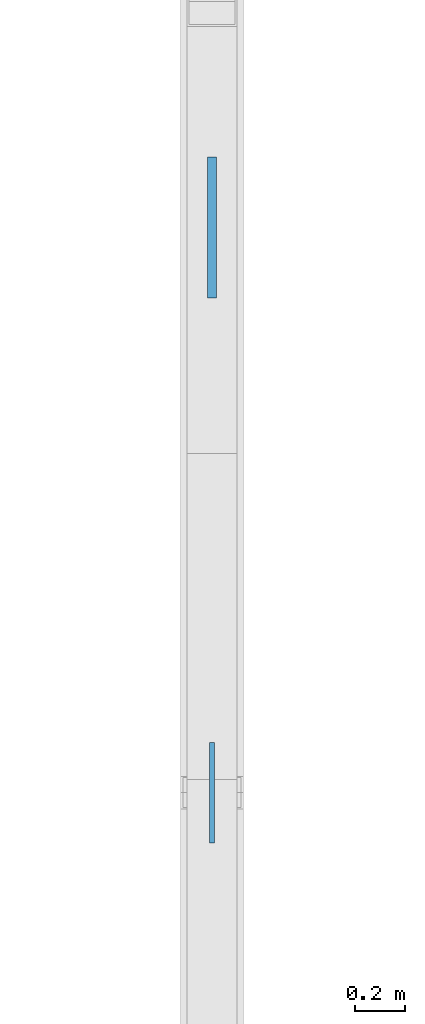
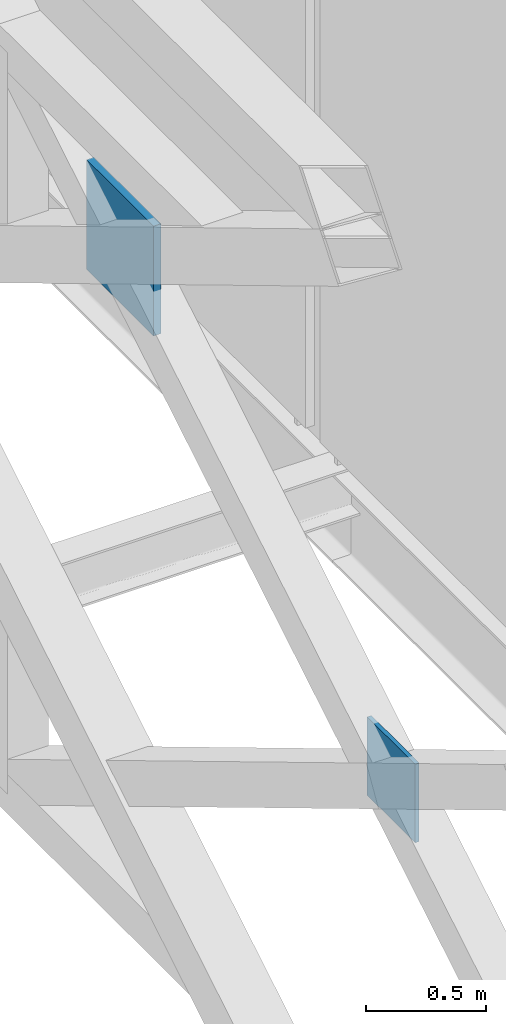
# One storey, part 41 of 89: 2 plates.
"""IFC4 building model written with IfcOpenShell, lengths in metres."""

from ifc_helpers import new_model, si_unit, direction, frame, origin, origin_2d, place, context, subcontext, project, spatial, rectangle, extrude, material, layer, layer_set, type_object, element, save


model = new_model("IFC4")

# Units and contexts
model_context = context("Model", 3, precision=1e-05, world=origin(), true_north=direction((0.0, 1.0)))
body_context = subcontext(model_context, "Body", "Model", "MODEL_VIEW")
ifc_project = project(units=[si_unit("LENGTHUNIT", "METRE"), si_unit("AREAUNIT", "SQUARE_METRE"), si_unit("VOLUMEUNIT", "CUBIC_METRE"), si_unit("PLANEANGLEUNIT", "RADIAN"), si_unit("MASSUNIT", "GRAM", prefix="KILO"), si_unit("THERMODYNAMICTEMPERATUREUNIT", "KELVIN"), si_unit("POWERUNIT", "WATT")], contexts=[model_context])

# Site, building, storey
site_placement = place(None, origin())
site = spatial("IfcSite", under=ifc_project, at=site_placement, CompositionType="ELEMENT")
building_placement = place(site_placement, origin())
building = spatial("IfcBuilding", under=site, at=building_placement, Name="Tallowbark Science Centre", CompositionType="ELEMENT")
storey_placement = place(building_placement, frame((0.0, 0.0, 14.39990234375)))
storey = spatial("IfcBuildingStorey", under=building, at=storey_placement, Name="L03", CompositionType="ELEMENT", Elevation=14.39990234375)

# Plates
ifc_material = material(Name="Structural Steel Grade 300PLUS (300 MPa)", Category="steel")
ifc_layer_1 = layer(ifc_material, 0.02001953125)
ifc_layer_set_1 = layer_set([ifc_layer_1], Name="Structural Steel Grade 300PLUS (300 MPa)")
plate_type_1 = type_object("IfcPlateType", Name="PLT-GUS-20", PredefinedType="SHEET", material=ifc_layer_set_1)
plate_1_placement = place(storey_placement, frame((56.10009765625, 18.0, 1.60009765625), z_axis=(0.0, 0.0, 1.0), x_axis=(0.0, 1.0, 0.0)))
element("IfcPlate", 1, at=plate_1_placement, inside=storey, type_object=plate_type_1, Name="Star X-Brace Crossing Gusset Plate W-30", PredefinedType="SHEET", context=body_context, shape_type="SweptSolid", body=[
    extrude(rectangle(XDim=0.39990234375, YDim=0.02001953125, at=origin_2d()), origin(), (0.0, 0.0, 1.0), 0.39990234375),
])
ifc_layer_2 = layer(ifc_material, 0.035888671875)
ifc_layer_set_2 = layer_set([ifc_layer_2], Name="Structural Steel Grade 300PLUS (300 MPa)")
plate_type_2 = type_object("IfcPlateType", Name="PLT-GUS-36", PredefinedType="SHEET", material=ifc_layer_set_2)
plate_2_placement = place(storey_placement, frame((56.10009765625, 20.25, 2.8701171875), z_axis=(0.0, 0.0, 1.0), x_axis=(0.0, 1.0, 0.0)))
element("IfcPlate", 2, at=plate_2_placement, inside=storey, type_object=plate_type_2, Name="Star Primary Chord Crossing Gusset Plate W-30", PredefinedType="SHEET", context=body_context, shape_type="SweptSolid", body=[
    extrude(rectangle(XDim=0.56005859375, YDim=0.035888671875, at=origin_2d()), origin(), (0.0, 0.0, 1.0), 0.56005859375),
])

save(model, "model.ifc")
